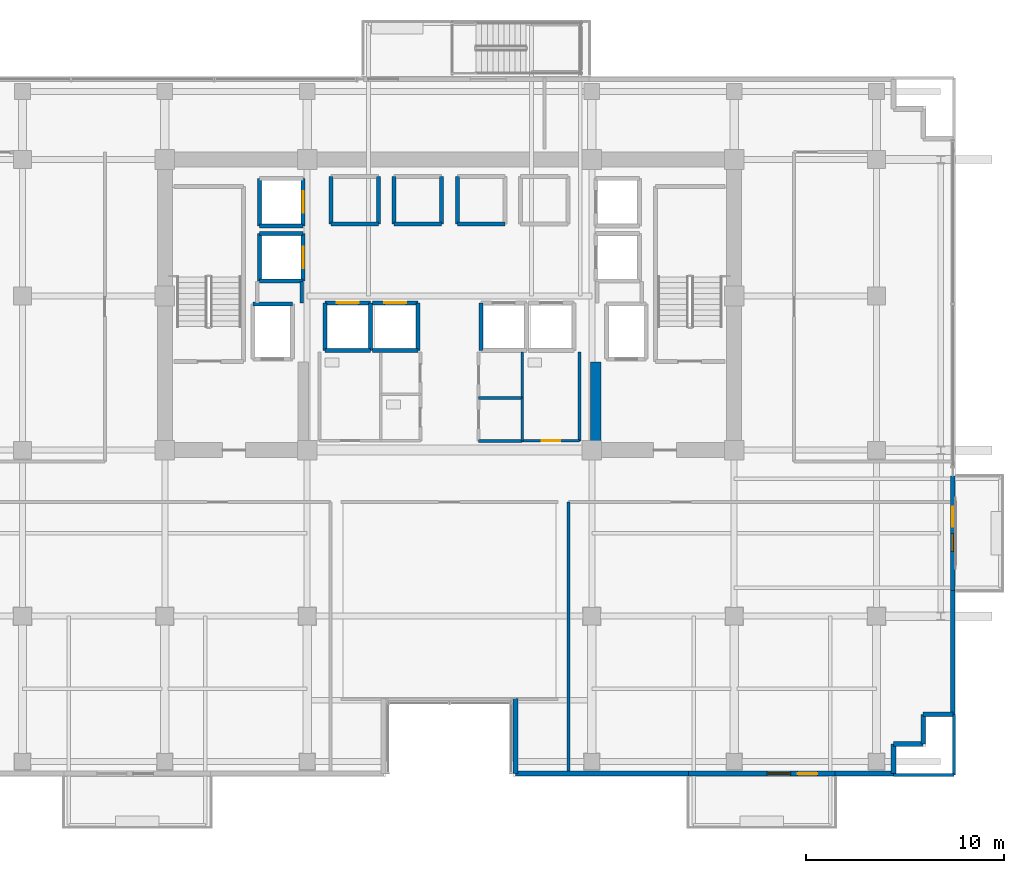
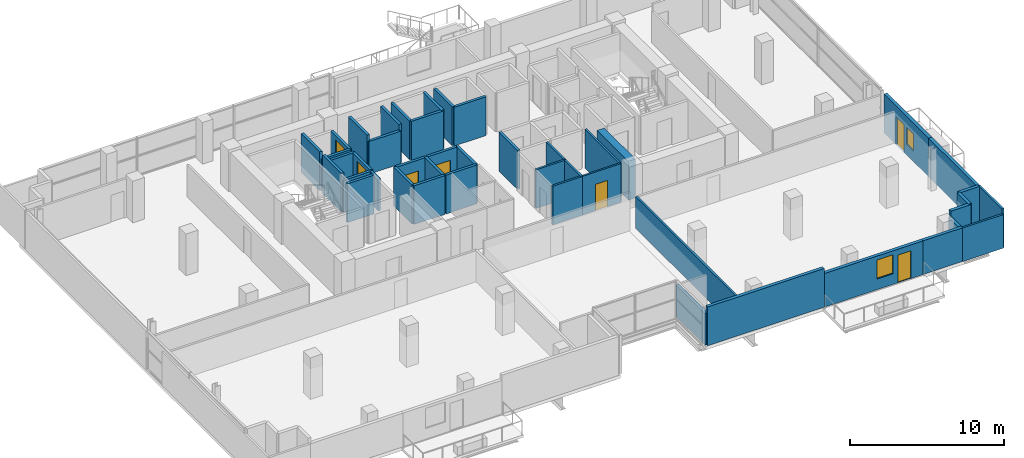
# One storey, part 20 of 27: 45 walls, 7 doors, 2 windows, 9 openings.
"""IFC4 building model written with IfcOpenShell, lengths in metres."""

from ifc_helpers import new_model, si_unit, direction, frame, frame_2d, origin, place, context, subcontext, project, spatial, rectangle, extrude, source, transform, mapped, material, layer, layer_set, type_object, element, fill, save


model = new_model("IFC4")

# Units and contexts
model_context = context("Model", 3, precision=1e-05, world=origin(), true_north=direction((0.0, 1.0)))
body_context = subcontext(model_context, "Body", "Model", "MODEL_VIEW")
ifc_project = project(units=[si_unit("LENGTHUNIT", "METRE"), si_unit("AREAUNIT", "SQUARE_METRE"), si_unit("VOLUMEUNIT", "CUBIC_METRE"), si_unit("PLANEANGLEUNIT", "RADIAN"), si_unit("MASSUNIT", "GRAM", prefix="KILO")], contexts=[model_context])

# Site, building, storey
site_placement = place(None, origin())
site = spatial("IfcSite", under=ifc_project, at=site_placement, CompositionType="ELEMENT")
building_placement = place(site_placement, origin())
building = spatial("IfcBuilding", under=site, at=building_placement, Name="Zarnakvel Exchange Tower", CompositionType="ELEMENT")
storey_placement = place(building_placement, frame((0.0, 0.0, 86.800048828125)))
storey = spatial("IfcBuildingStorey", under=building, at=storey_placement, Name="L23", CompositionType="ELEMENT", Elevation=86.800048828125)

# Wall
ifc_material_1 = material(Name="Concrete C60/75", Category="concrete")
ifc_layer_1 = layer(ifc_material_1, 0.550048828125)
ifc_layer_set_1 = layer_set([ifc_layer_1], Name="Concrete C60/75")
wall_type_1 = type_object("IfcWallType", Name="CW-C4", PredefinedType="SHEAR", material=ifc_layer_set_1)
wall_1_placement = place(storey_placement, frame((7.39990234375, -0.824951171875, 0.0), z_axis=(0.0, 0.0, 1.0), x_axis=(0.0, 1.0, 0.0)))
element("IfcWall", 1, at=wall_1_placement, inside=storey, type_object=wall_type_1, Name="L23 Rear Core Shear Wall IE (CW-C4)", PredefinedType="SHEAR", context=body_context, shape_type="SweptSolid", body=[
    extrude(rectangle(XDim=4.074951171875, YDim=0.550048828125, at=frame_2d((2.03759765625, 0.0))), origin(), (0.0, 0.0, 1.0), 3.074951171875),
])

# Wall, openings, door, window
ifc_material_2 = material(Name="Precast concrete C40/50", Category="concrete")
ifc_layer_2 = layer(ifc_material_2, 0.239990234375)
ifc_layer_set_2 = layer_set([ifc_layer_2], Name="Precast concrete C40/50")
wall_type_2 = type_object("IfcWallType", Name="EW-02", PredefinedType="SOLIDWALL", material=ifc_layer_set_2)
wall_2_placement = place(storey_placement, frame((19.5, -17.56005859375, 0.0), z_axis=(0.0, 0.0, 1.0), x_axis=(-1.0, 0.0, 0.0)))
wall_2 = element("IfcWall", 2, at=wall_2_placement, inside=storey, type_object=wall_type_2, Name="L23 Exterior Precast Spandrel Wall EW-BAL-L23-SE (EW-02)", PredefinedType="SOLIDWALL", context=body_context, shape_type="SweptSolid", body=[
    extrude(rectangle(XDim=7.39990234375, YDim=0.239990234375, at=frame_2d((3.699951171875, 0.0))), origin(), (0.0, 0.0, 1.0), 2.6650390625),
])
opening_1_placement = place(wall_2_placement, frame((0.887939453125, 0.0, 0.0)))
opening_1 = element("IfcOpeningElement", 3, at=opening_1_placement, cuts=wall_2, Name="Opening BD-L23-02", PredefinedType="OPENING", context=body_context, shape_type="SweptSolid", body=[
    extrude(rectangle(XDim=1.0, YDim=2.199951171875, at=frame_2d((0.5, 1.10009765625))), frame((0.0, 0.1298828125, 0.0), z_axis=(0.0, -1.0, 0.0), x_axis=(1.0, 0.0, 0.0)), (0.0, 0.0, 1.0), 0.260009765625),
])
opening_2_placement = place(wall_2_placement, frame((2.238037109375, 0.0, 0.85009765625)))
opening_2 = element("IfcOpeningElement", 4, at=opening_2_placement, cuts=wall_2, Name="Opening WN-04", PredefinedType="OPENING", context=body_context, shape_type="SweptSolid", body=[
    extrude(rectangle(XDim=1.199951171875, YDim=1.5, at=frame_2d((0.60009765625, 0.75))), frame((0.0, 0.1298828125, 0.0), z_axis=(0.0, -1.0, 0.0), x_axis=(1.0, 0.0, 0.0)), (0.0, 0.0, 1.0), 0.260009765625),
])
ifc_material_3 = material(Name="Architectural Bronze Anodised Aluminium", Category="aluminium")
door_type_1 = type_object("IfcDoorType", Name="DT-09", OperationType="NOTDEFINED", PredefinedType="DOOR", material=ifc_material_3)
shared_shape_1 = source(origin(), body_context, "Body", "SweptSolid", [
    extrude(rectangle(XDim=1.0, YDim=2.199951171875, at=frame_2d((0.5, 1.10009765625))), frame((0.0, 0.02490234375, 0.0), z_axis=(0.0, -1.0, 0.0), x_axis=(1.0, 0.0, 0.0)), (0.0, 0.0, 1.0), 0.050048828125),
])
door_1_placement = place(opening_1_placement, origin())
door_1 = element("IfcDoor", 5, at=door_1_placement, inside=storey, type_object=door_type_1, Name="L23 Planted Loggia Balcony Door BD-L23-02", OperationType="SINGLE_SWING_RIGHT", OverallHeight=2.199951171875, OverallWidth=1.0, PredefinedType="DOOR", context=body_context, shape_type="MappedRepresentation", body=[
    mapped(shared_shape_1, transform((0.0, 0.0, 0.0), x_axis=(1.0, 0.0, 0.0), y_axis=(0.0, 1.0, 0.0), z_axis=(0.0, 0.0, 1.0), scale=1.0)),
])
fill(opening_1, door_1)
ifc_material_4 = material(Name="Double Low-E Laminated Vision Glass", Category="glass")
window_type_1 = type_object("IfcWindowType", Name="WN-04", PartitioningType="SINGLE_PANEL", PredefinedType="WINDOW", material=ifc_material_4)
shared_shape_2 = source(origin(), body_context, "Body", "SweptSolid", [
    extrude(rectangle(XDim=1.199951171875, YDim=1.5, at=frame_2d((0.60009765625, 0.75))), frame((0.0, 0.030029296875, 0.0), z_axis=(0.0, -1.0, 0.0), x_axis=(1.0, 0.0, 0.0)), (0.0, 0.0, 1.0), 0.06005859375),
])
window_1_placement = place(opening_2_placement, origin())
window_1 = element("IfcWindow", 6, at=window_1_placement, inside=storey, type_object=window_type_1, Name="L23 Loggia Daylight Window (WN-04)", OverallHeight=1.5, OverallWidth=1.199951171875, PartitioningType="SINGLE_PANEL", PredefinedType="WINDOW", context=body_context, shape_type="MappedRepresentation", body=[
    mapped(shared_shape_2, transform((0.0, 0.0, 0.0), x_axis=(1.0, 0.0, 0.0), y_axis=(0.0, 1.0, 0.0), z_axis=(0.0, 0.0, 1.0), scale=1.0)),
])
fill(opening_2, window_1)

wall_3_placement = place(storey_placement, frame((25.4599609375, -2.5, 0.0), z_axis=(0.0, 0.0, 1.0), x_axis=(0.0, -1.0, 0.0)))
wall_3 = element("IfcWall", 7, at=wall_3_placement, inside=storey, type_object=wall_type_2, Name="L23 Exterior Precast Spandrel Wall EW-BAL-L23-E (EW-02)", PredefinedType="SOLIDWALL", context=body_context, shape_type="SweptSolid", body=[
    extrude(rectangle(XDim=5.800048828125, YDim=0.239990234375, at=frame_2d((2.89990234375, 0.0))), origin(), (0.0, 0.0, 1.0), 3.074951171875),
])
opening_3_placement = place(wall_3_placement, frame((1.56591796875, 0.0, 0.0)))
opening_3 = element("IfcOpeningElement", 8, at=opening_3_placement, cuts=wall_3, Name="Opening BD-L23-03", PredefinedType="OPENING", context=body_context, shape_type="SweptSolid", body=[
    extrude(rectangle(XDim=1.0, YDim=2.199951171875, at=frame_2d((0.5, 1.10009765625))), frame((0.0, 0.1298828125, 0.0), z_axis=(0.0, -1.0, 0.0), x_axis=(1.0, 0.0, 0.0)), (0.0, 0.0, 1.0), 0.260009765625),
])
opening_4_placement = place(wall_3_placement, frame((2.916015625, 0.0, 0.85009765625)))
opening_4 = element("IfcOpeningElement", 9, at=opening_4_placement, cuts=wall_3, Name="Opening WN-06", PredefinedType="OPENING", context=body_context, shape_type="SweptSolid", body=[
    extrude(rectangle(XDim=0.89990234375, YDim=1.35009765625, at=frame_2d((0.449951171875, 0.675048828125))), frame((0.0, 0.1298828125, 0.0), z_axis=(0.0, -1.0, 0.0), x_axis=(1.0, 0.0, 0.0)), (0.0, 0.0, 1.0), 0.260009765625),
])
door_2_placement = place(opening_3_placement, origin())
door_2 = element("IfcDoor", 10, at=door_2_placement, inside=storey, type_object=door_type_1, Name="L23 Planted Loggia Balcony Door BD-L23-03", OperationType="SINGLE_SWING_LEFT", OverallHeight=2.199951171875, OverallWidth=1.0, PredefinedType="DOOR", context=body_context, shape_type="MappedRepresentation", body=[
    mapped(shared_shape_1, transform((0.0, 0.0, 0.0), x_axis=(1.0, 0.0, 0.0), y_axis=(0.0, 1.0, 0.0), z_axis=(0.0, 0.0, 1.0), scale=1.0)),
])
fill(opening_3, door_2)
window_type_2 = type_object("IfcWindowType", Name="WN-06", PartitioningType="SINGLE_PANEL", PredefinedType="WINDOW", material=ifc_material_4)
shared_shape_3 = source(origin(), body_context, "Body", "SweptSolid", [
    extrude(rectangle(XDim=0.89990234375, YDim=1.35009765625, at=frame_2d((0.449951171875, 0.675048828125))), frame((0.0, 0.030029296875, 0.0), z_axis=(0.0, -1.0, 0.0), x_axis=(1.0, 0.0, 0.0)), (0.0, 0.0, 1.0), 0.06005859375),
])
window_2_placement = place(opening_4_placement, origin())
window_2 = element("IfcWindow", 11, at=window_2_placement, inside=storey, type_object=window_type_2, Name="L23 Loggia Daylight Window (WN-06)", OverallHeight=1.35009765625, OverallWidth=0.89990234375, PartitioningType="SINGLE_PANEL", PredefinedType="WINDOW", context=body_context, shape_type="MappedRepresentation", body=[
    mapped(shared_shape_3, transform((0.0, 0.0, 0.0), x_axis=(1.0, 0.0, 0.0), y_axis=(0.0, 1.0, 0.0), z_axis=(0.0, 0.0, 1.0), scale=1.0)),
])
fill(opening_4, window_2)

# Walls
wall_4_placement = place(storey_placement, frame((25.4599609375, -14.56005859375, 0.0), z_axis=(0.0, 0.0, 1.0), x_axis=(0.0, 1.0, 0.0)))
element("IfcWall", 12, at=wall_4_placement, inside=storey, type_object=wall_type_2, Name="L23 Exterior Precast Spandrel Wall EWC-L23-12 (EW-02)", PredefinedType="SOLIDWALL", context=body_context, shape_type="SweptSolid", body=[
    extrude(rectangle(XDim=6.260009765625, YDim=0.239990234375, at=frame_2d((3.1298828125, 0.0))), origin(), (0.0, 0.0, 1.0), 3.074951171875),
])
for number, where, z_axis, x_axis, name in (
    (13, (23.9599609375, -14.56005859375, 0.0), (0.0, 0.0, 1.0), (1.0, 0.0, 0.0), "L23 Exterior Precast Spandrel Wall EWC-L23-13 (EW-02)"),
    (14, (23.9599609375, -16.06005859375, 0.0), (0.0, 0.0, 1.0), (0.0, 1.0, 0.0), "L23 Exterior Precast Spandrel Wall EWC-L23-14 (EW-02)"),
    (15, (22.4599609375, -16.06005859375, 0.0), (0.0, 0.0, 1.0), (1.0, 0.0, 0.0), "L23 Exterior Precast Spandrel Wall EWC-L23-15 (EW-02)"),
):
    element("IfcWall", number, at=place(storey_placement, frame(where, z_axis=z_axis, x_axis=x_axis)), inside=storey, type_object=wall_type_2, Name=name, PredefinedType="SOLIDWALL", context=body_context, shape_type="SweptSolid", body=[
        extrude(rectangle(XDim=1.5, YDim=0.239990234375, at=frame_2d((0.75, 0.0))), origin(), (0.0, 0.0, 1.0), 3.074951171875),
    ])
wall_5_placement = place(storey_placement, frame((22.4599609375, -17.56005859375, 0.0), z_axis=(0.0, 0.0, 1.0), x_axis=(0.0, 1.0, 0.0)))
element("IfcWall", 16, at=wall_5_placement, inside=storey, type_object=wall_type_2, Name="L23 Exterior Precast Spandrel Wall EWC-L23-16 (EW-02)", PredefinedType="SOLIDWALL", context=body_context, shape_type="SweptSolid", body=[
    extrude(rectangle(XDim=1.5, YDim=0.239990234375, at=frame_2d((0.75, 0.0))), origin(), (0.0, 0.0, 1.0), 2.56494140625),
])
wall_6_placement = place(storey_placement, frame((19.5, -17.56005859375, 0.0), z_axis=(0.0, 0.0, 1.0), x_axis=(1.0, 0.0, 0.0)))
element("IfcWall", 17, at=wall_6_placement, inside=storey, type_object=wall_type_2, Name="L23 Exterior Precast Spandrel Wall EWC-L23-17 (EW-02)", PredefinedType="SOLIDWALL", context=body_context, shape_type="SweptSolid", body=[
    extrude(rectangle(XDim=2.9599609375, YDim=0.239990234375, at=frame_2d((1.47998046875, 0.0))), origin(), (0.0, 0.0, 1.0), 2.6650390625),
])
wall_7_placement = place(storey_placement, frame((3.340087890625, -17.56005859375, 0.0), z_axis=(0.0, 0.0, 1.0), x_axis=(1.0, 0.0, 0.0)))
element("IfcWall", 18, at=wall_7_placement, inside=storey, type_object=wall_type_2, Name="L23 Exterior Precast Spandrel Wall EWC-L23-18 (EW-02)", PredefinedType="SOLIDWALL", context=body_context, shape_type="SweptSolid", body=[
    extrude(rectangle(XDim=8.760009765625, YDim=0.239990234375, at=frame_2d((4.3798828125, 0.0))), origin(), (0.0, 0.0, 1.0), 3.074951171875),
])
wall_8_placement = place(storey_placement, frame((3.340087890625, -13.760009765625, 0.0), z_axis=(0.0, 0.0, 1.0), x_axis=(0.0, -1.0, 0.0)))
element("IfcWall", 19, at=wall_8_placement, inside=storey, type_object=wall_type_2, Name="L23 Exterior Precast Spandrel Wall EWC-L23-19 (EW-02)", PredefinedType="SOLIDWALL", context=body_context, shape_type="SweptSolid", body=[
    extrude(rectangle(XDim=3.800048828125, YDim=0.239990234375, at=frame_2d((1.89990234375, 0.0))), origin(), (0.0, 0.0, 1.0), 2.514892578125),
])
ifc_material_5 = material(Name="Fire-Rated Gypsum Stud Partition", Category="gypsum")
ifc_layer_3 = layer(ifc_material_5, 0.14990234375)
ifc_layer_set_3 = layer_set([ifc_layer_3], Name="Fire-Rated Gypsum Stud Partition")
wall_type_3 = type_object("IfcWallType", Name="PT-01", PredefinedType="PARTITIONING", material=ifc_layer_set_3)
for number, where, z_axis, x_axis, name in (
    (20, (3.679931640625, -0.72998046875, 0.0), (0.0, 0.0, 1.0), (-1.0, 0.0, 0.0), "L23 Partition Wall PWALL-L23-018 (PT-01)"),
    (21, (1.469970703125, 1.429931640625, 0.0), (0.0, 0.0, 1.0), (1.0, 0.0, 0.0), "L23 Partition Wall PWALL-L23-019 (PT-01)"),
):
    element("IfcWall", number, at=place(storey_placement, frame(where, z_axis=z_axis, x_axis=x_axis)), inside=storey, type_object=wall_type_3, Name=name, PredefinedType="PARTITIONING", context=body_context, shape_type="SweptSolid", body=[
        extrude(rectangle(XDim=2.2099609375, YDim=0.14990234375, at=frame_2d((1.10498046875, 0.0))), origin(), (0.0, 0.0, 1.0), 3.074951171875),
    ])
wall_9_placement = place(storey_placement, frame((3.679931640625, 1.429931640625, 0.0), z_axis=(0.0, 0.0, 1.0), x_axis=(0.0, -1.0, 0.0)))
element("IfcWall", 22, at=wall_9_placement, inside=storey, type_object=wall_type_3, Name="L23 Partition Wall PWALL-L23-021 (PT-01)", PredefinedType="PARTITIONING", context=body_context, shape_type="SweptSolid", body=[
    extrude(rectangle(XDim=2.159912109375, YDim=0.14990234375, at=frame_2d((1.080078125, 0.0))), origin(), (0.0, 0.0, 1.0), 3.074951171875),
])
wall_10_placement = place(storey_placement, frame((3.679931640625, 3.760009765625, 0.0), z_axis=(0.0, 0.0, 1.0), x_axis=(0.0, -1.0, 0.0)))
element("IfcWall", 23, at=wall_10_placement, inside=storey, type_object=wall_type_3, Name="L23 Partition Wall PWALL-L23-023 (PT-01)", PredefinedType="PARTITIONING", context=body_context, shape_type="SweptSolid", body=[
    extrude(rectangle(XDim=2.330078125, YDim=0.14990234375, at=frame_2d((1.1650390625, 0.0))), origin(), (0.0, 0.0, 1.0), 3.074951171875),
])
wall_11_placement = place(storey_placement, frame((25.530029296875, -17.6298828125, 0.0), z_axis=(0.0, 0.0, 1.0), x_axis=(-1.0, 0.0, 0.0)))
element("IfcWall", 24, at=wall_11_placement, inside=storey, type_object=wall_type_3, Name="L23 Partition Wall PWALL-L23-030 (PT-01)", PredefinedType="PARTITIONING", context=body_context, shape_type="SweptSolid", body=[
    extrude(rectangle(XDim=3.070068359375, YDim=0.14990234375, at=frame_2d((1.53515625, 0.0))), origin(), (0.0, 0.0, 1.0), 2.6650390625),
])
wall_12_placement = place(storey_placement, frame((6.02001953125, -17.6298828125, 0.0), z_axis=(0.0, 0.0, 1.0), x_axis=(0.0, 1.0, 0.0)))
element("IfcWall", 25, at=wall_12_placement, inside=storey, type_object=wall_type_3, Name="L23 Partition Wall PWALL-L23-032 (PT-01)", PredefinedType="PARTITIONING", context=body_context, shape_type="SweptSolid", body=[
    extrude(rectangle(XDim=13.7998046875, YDim=0.14990234375, at=frame_2d((6.89990234375, 0.0))), origin(), (0.0, 0.0, 1.0), 2.514892578125),
])
wall_13_placement = place(storey_placement, frame((25.530029296875, -14.56005859375, 0.0), z_axis=(0.0, 0.0, 1.0), x_axis=(0.0, -1.0, 0.0)))
element("IfcWall", 26, at=wall_13_placement, inside=storey, type_object=wall_type_3, Name="L23 Partition Wall PWALL-L23-033 (PT-01)", PredefinedType="PARTITIONING", context=body_context, shape_type="SweptSolid", body=[
    extrude(rectangle(XDim=3.06982421875, YDim=0.14990234375, at=frame_2d((1.534912109375, 0.0))), origin(), (0.0, 0.0, 1.0), 3.074951171875),
])
ifc_layer_4 = layer(ifc_material_5, 0.179931640625)
ifc_layer_set_4 = layer_set([ifc_layer_4], Name="Fire-Rated Gypsum Stud Partition")
wall_type_4 = type_object("IfcWallType", Name="PT-02", PredefinedType="PARTITIONING", material=ifc_layer_set_4)
wall_14_placement = place(storey_placement, frame((-7.469970703125, 7.330078125, 0.0), z_axis=(0.0, 0.0, 1.0), x_axis=(0.0, -1.0, 0.0)))
element("IfcWall", 27, at=wall_14_placement, inside=storey, type_object=wall_type_4, Name="L23 Partition Wall PWALL-L23-008 (PT-02)", PredefinedType="PARTITIONING", context=body_context, shape_type="SweptSolid", body=[
    extrude(rectangle(XDim=1.090087890625, YDim=0.179931640625, at=frame_2d((0.544921875, 0.0))), origin(), (0.0, 0.0, 1.0), 2.514892578125),
])

# Wall, opening, door
ifc_material_6 = material(Name="Moisture-Resistant Tile-Faced Partition", Category="gypsum")
ifc_layer_5 = layer(ifc_material_6, 0.135009765625)
ifc_layer_set_5 = layer_set([ifc_layer_5], Name="Moisture-Resistant Tile-Faced Partition")
wall_type_5 = type_object("IfcWallType", Name="PT-03", PredefinedType="PARTITIONING", material=ifc_layer_set_5)
wall_15_placement = place(storey_placement, frame((6.580078125, -0.72998046875, 0.0), z_axis=(0.0, 0.0, 1.0), x_axis=(-1.0, 0.0, 0.0)))
wall_15 = element("IfcWall", 28, at=wall_15_placement, inside=storey, type_object=wall_type_5, Name="L23 Partition Wall PWALL-L23-024 (PT-03)", PredefinedType="PARTITIONING", context=body_context, shape_type="SweptSolid", body=[
    extrude(rectangle(XDim=2.900146484375, YDim=0.135009765625, at=frame_2d((1.4501953125, 0.0))), origin(), (0.0, 0.0, 1.0), 3.074951171875),
])
opening_5_placement = place(wall_15_placement, frame((0.989990234375, 0.0, 0.0)))
opening_5 = element("IfcOpeningElement", 29, at=opening_5_placement, cuts=wall_15, Name="Opening D-L23-10", PredefinedType="OPENING", context=body_context, shape_type="SweptSolid", body=[
    extrude(rectangle(XDim=0.919921875, YDim=2.10009765625, at=frame_2d((0.4599609375, 1.050048828125))), frame((0.0, 0.077392578125, 0.0), z_axis=(0.0, -1.0, 0.0), x_axis=(1.0, 0.0, 0.0)), (0.0, 0.0, 1.0), 0.155029296875),
])
ifc_material_7 = material(Name="Moisture-Resistant Laminate Timber", Category="wood")
door_type_2 = type_object("IfcDoorType", Name="DT-07", OperationType="NOTDEFINED", PredefinedType="DOOR", material=ifc_material_7)
shared_shape_4 = source(origin(), body_context, "Body", "SweptSolid", [
    extrude(rectangle(XDim=0.919921875, YDim=2.10009765625, at=frame_2d((0.4599609375, 1.050048828125))), frame((0.0, 0.02490234375, 0.0), z_axis=(0.0, -1.0, 0.0), x_axis=(1.0, 0.0, 0.0)), (0.0, 0.0, 1.0), 0.050048828125),
])
door_3_placement = place(opening_5_placement, origin())
door_3 = element("IfcDoor", 30, at=door_3_placement, inside=storey, type_object=door_type_2, Name="L23 Female Toilet Door D-L23-10", OperationType="SINGLE_SWING_LEFT", OverallHeight=2.10009765625, OverallWidth=0.919921875, PredefinedType="DOOR", context=body_context, shape_type="MappedRepresentation", body=[
    mapped(shared_shape_4, transform((0.0, 0.0, 0.0), x_axis=(1.0, 0.0, 0.0), y_axis=(0.0, 1.0, 0.0), z_axis=(0.0, 0.0, 1.0), scale=1.0)),
])
fill(opening_5, door_3)

# Walls
wall_16_placement = place(storey_placement, frame((6.580078125, 3.760009765625, 0.0), z_axis=(0.0, 0.0, 1.0), x_axis=(0.0, -1.0, 0.0)))
element("IfcWall", 31, at=wall_16_placement, inside=storey, type_object=wall_type_5, Name="L23 Partition Wall PWALL-L23-025 (PT-03)", PredefinedType="PARTITIONING", context=body_context, shape_type="SweptSolid", body=[
    extrude(rectangle(XDim=4.489990234375, YDim=0.135009765625, at=frame_2d((2.2451171875, 0.0))), origin(), (0.0, 0.0, 1.0), 3.074951171875),
])
ifc_material_8 = material(Name="Concrete C40/50", Category="concrete")
ifc_layer_6 = layer(ifc_material_8, 0.199951171875)
ifc_layer_set_6 = layer_set([ifc_layer_6], Name="Concrete C40/50")
wall_type_6 = type_object("IfcWallType", Name="SW-01", PredefinedType="SOLIDWALL", material=ifc_layer_set_6)
wall_17_placement = place(storey_placement, frame((-9.949951171875, 6.199951171875, 0.0), z_axis=(0.0, 0.0, 1.0), x_axis=(1.0, 0.0, 0.0)))
element("IfcWall", 32, at=wall_17_placement, inside=storey, type_object=wall_type_6, Name="L23 FL-01 Hoistway Wall North", PredefinedType="SOLIDWALL", context=body_context, shape_type="SweptSolid", body=[
    extrude(rectangle(XDim=2.0, YDim=0.199951171875, at=frame_2d((1.0, 0.0))), origin(), (0.0, 0.0, 1.0), 3.074951171875),
])
wall_18_placement = place(storey_placement, frame((-3.60009765625, 10.25, 0.0), z_axis=(0.0, 0.0, 1.0), x_axis=(-1.0, 0.0, 0.0)))
element("IfcWall", 33, at=wall_18_placement, inside=storey, type_object=wall_type_6, Name="L23 PL-01 Hoistway Wall South", PredefinedType="SOLIDWALL", context=body_context, shape_type="SweptSolid", body=[
    extrude(rectangle(XDim=2.39990234375, YDim=0.199951171875, at=frame_2d((1.199951171875, 0.0))), origin(), (0.0, 0.0, 1.0), 2.58984375),
])
for number, where, z_axis, x_axis, name in (
    (34, (-6.0, 10.25, 0.0), (0.0, 0.0, 1.0), (0.0, 1.0, 0.0), "L23 PL-01 Hoistway Wall West"),
    (35, (-3.60009765625, 12.64990234375, 0.0), (0.0, 0.0, 1.0), (0.0, -1.0, 0.0), "L23 PL-01 Hoistway Wall East"),
):
    element("IfcWall", number, at=place(storey_placement, frame(where, z_axis=z_axis, x_axis=x_axis)), inside=storey, type_object=wall_type_6, Name=name, PredefinedType="SOLIDWALL", context=body_context, shape_type="SweptSolid", body=[
        extrude(rectangle(XDim=2.39990234375, YDim=0.199951171875, at=frame_2d((1.199951171875, 0.0))), origin(), (0.0, 0.0, 1.0), 3.074951171875),
    ])
wall_19_placement = place(storey_placement, frame((-0.39990234375, 10.25, 0.0), z_axis=(0.0, 0.0, 1.0), x_axis=(-1.0, 0.0, 0.0)))
element("IfcWall", 36, at=wall_19_placement, inside=storey, type_object=wall_type_6, Name="L23 PL-02 Hoistway Wall South", PredefinedType="SOLIDWALL", context=body_context, shape_type="SweptSolid", body=[
    extrude(rectangle(XDim=2.400146484375, YDim=0.199951171875, at=frame_2d((1.2001953125, 0.0))), origin(), (0.0, 0.0, 1.0), 3.074951171875),
])
for number, where, z_axis, x_axis, name in (
    (37, (-2.800048828125, 10.25, 0.0), (0.0, 0.0, 1.0), (0.0, 1.0, 0.0), "L23 PL-02 Hoistway Wall West"),
    (38, (-0.39990234375, 12.64990234375, 0.0), (0.0, 0.0, 1.0), (0.0, -1.0, 0.0), "L23 PL-02 Hoistway Wall East"),
):
    element("IfcWall", number, at=place(storey_placement, frame(where, z_axis=z_axis, x_axis=x_axis)), inside=storey, type_object=wall_type_6, Name=name, PredefinedType="SOLIDWALL", context=body_context, shape_type="SweptSolid", body=[
        extrude(rectangle(XDim=2.39990234375, YDim=0.199951171875, at=frame_2d((1.199951171875, 0.0))), origin(), (0.0, 0.0, 1.0), 3.074951171875),
    ])
wall_20_placement = place(storey_placement, frame((2.800048828125, 10.25, 0.0), z_axis=(0.0, 0.0, 1.0), x_axis=(-1.0, 0.0, 0.0)))
element("IfcWall", 39, at=wall_20_placement, inside=storey, type_object=wall_type_6, Name="L23 PL-03 Hoistway Wall South", PredefinedType="SOLIDWALL", context=body_context, shape_type="SweptSolid", body=[
    extrude(rectangle(XDim=2.400146484375, YDim=0.199951171875, at=frame_2d((1.2001953125, 0.0))), origin(), (0.0, 0.0, 1.0), 3.074951171875),
])
wall_21_placement = place(storey_placement, frame((0.39990234375, 10.25, 0.0), z_axis=(0.0, 0.0, 1.0), x_axis=(0.0, 1.0, 0.0)))
element("IfcWall", 40, at=wall_21_placement, inside=storey, type_object=wall_type_6, Name="L23 PL-03 Hoistway Wall West", PredefinedType="SOLIDWALL", context=body_context, shape_type="SweptSolid", body=[
    extrude(rectangle(XDim=2.39990234375, YDim=0.199951171875, at=frame_2d((1.199951171875, 0.0))), origin(), (0.0, 0.0, 1.0), 3.074951171875),
])
wall_22_placement = place(storey_placement, frame((-4.0, 3.85009765625, 0.0), z_axis=(0.0, 0.0, 1.0), x_axis=(-1.0, 0.0, 0.0)))
element("IfcWall", 41, at=wall_22_placement, inside=storey, type_object=wall_type_6, Name="L23 PL-05 Hoistway Wall South", PredefinedType="SOLIDWALL", context=body_context, shape_type="SweptSolid", body=[
    extrude(rectangle(XDim=2.300048828125, YDim=0.199951171875, at=frame_2d((1.14990234375, 0.0))), origin(), (0.0, 0.0, 1.0), 3.074951171875),
])

# Wall, opening, door
wall_23_placement = place(storey_placement, frame((-6.300048828125, 6.25, 0.0), z_axis=(0.0, 0.0, 1.0), x_axis=(1.0, 0.0, 0.0)))
wall_23 = element("IfcWall", 42, at=wall_23_placement, inside=storey, type_object=wall_type_6, Name="L23 PL-05 Hoistway Wall North", PredefinedType="SOLIDWALL", context=body_context, shape_type="SweptSolid", body=[
    extrude(rectangle(XDim=2.300048828125, YDim=0.199951171875, at=frame_2d((1.14990234375, 0.0))), origin(), (0.0, 0.0, 1.0), 3.074951171875),
])
opening_6_placement = place(wall_23_placement, frame((0.60009765625, 0.0, 0.0)))
opening_6 = element("IfcOpeningElement", 43, at=opening_6_placement, cuts=wall_23, Name="Opening LD-PL-05-L23", PredefinedType="OPENING", context=body_context, shape_type="SweptSolid", body=[
    extrude(rectangle(XDim=1.10009765625, YDim=2.199951171875, at=frame_2d((0.550048828125, 1.10009765625))), frame((0.0, 0.10986328125, 0.0), z_axis=(0.0, -1.0, 0.0), x_axis=(1.0, 0.0, 0.0)), (0.0, 0.0, 1.0), 0.219970703125),
])
door_type_3 = type_object("IfcDoorType", Name="LDT-02", OperationType="NOTDEFINED", PredefinedType="DOOR", material=ifc_material_3)
shared_shape_5 = source(origin(), body_context, "Body", "SweptSolid", [
    extrude(rectangle(XDim=1.10009765625, YDim=2.199951171875, at=frame_2d((0.550048828125, 1.10009765625))), frame((0.0, 0.02490234375, 0.0), z_axis=(0.0, -1.0, 0.0), x_axis=(1.0, 0.0, 0.0)), (0.0, 0.0, 1.0), 0.050048828125),
])
door_4_placement = place(opening_6_placement, origin())
door_4 = element("IfcDoor", 44, at=door_4_placement, inside=storey, type_object=door_type_3, Name="L23 PL-05 Lift Landing Door LD-PL-05-L23", OperationType="DOUBLE_DOOR_SLIDING", OverallHeight=2.199951171875, OverallWidth=1.10009765625, PredefinedType="DOOR", context=body_context, shape_type="MappedRepresentation", body=[
    mapped(shared_shape_5, transform((0.0, 0.0, 0.0), x_axis=(1.0, 0.0, 0.0), y_axis=(0.0, 1.0, 0.0), z_axis=(0.0, 0.0, 1.0), scale=1.0)),
])
fill(opening_6, door_4)

# Walls
for number, where, z_axis, x_axis, name in (
    (45, (-6.300048828125, 3.85009765625, 0.0), (0.0, 0.0, 1.0), (0.0, 1.0, 0.0), "L23 PL-05 Hoistway Wall West"),
    (46, (-4.0, 6.25, 0.0), (0.0, 0.0, 1.0), (0.0, -1.0, 0.0), "L23 PL-05 Hoistway Wall East"),
):
    element("IfcWall", number, at=place(storey_placement, frame(where, z_axis=z_axis, x_axis=x_axis)), inside=storey, type_object=wall_type_6, Name=name, PredefinedType="SOLIDWALL", context=body_context, shape_type="SweptSolid", body=[
        extrude(rectangle(XDim=2.39990234375, YDim=0.199951171875, at=frame_2d((1.199951171875, 0.0))), origin(), (0.0, 0.0, 1.0), 3.074951171875),
    ])
wall_24_placement = place(storey_placement, frame((-1.60009765625, 3.85009765625, 0.0), z_axis=(0.0, 0.0, 1.0), x_axis=(-1.0, 0.0, 0.0)))
element("IfcWall", 47, at=wall_24_placement, inside=storey, type_object=wall_type_6, Name="L23 PL-06 Hoistway Wall South", PredefinedType="SOLIDWALL", context=body_context, shape_type="SweptSolid", body=[
    extrude(rectangle(XDim=2.2998046875, YDim=0.199951171875, at=frame_2d((1.14990234375, 0.0))), origin(), (0.0, 0.0, 1.0), 3.074951171875),
])

# Wall, opening, door
wall_25_placement = place(storey_placement, frame((-3.89990234375, 6.25, 0.0), z_axis=(0.0, 0.0, 1.0), x_axis=(1.0, 0.0, 0.0)))
wall_25 = element("IfcWall", 48, at=wall_25_placement, inside=storey, type_object=wall_type_6, Name="L23 PL-06 Hoistway Wall North", PredefinedType="SOLIDWALL", context=body_context, shape_type="SweptSolid", body=[
    extrude(rectangle(XDim=2.2998046875, YDim=0.199951171875, at=frame_2d((1.14990234375, 0.0))), origin(), (0.0, 0.0, 1.0), 3.074951171875),
])
opening_7_placement = place(wall_25_placement, frame((0.60009765625, 0.0, 0.0)))
opening_7 = element("IfcOpeningElement", 49, at=opening_7_placement, cuts=wall_25, Name="Opening LD-PL-06-L23", PredefinedType="OPENING", context=body_context, shape_type="SweptSolid", body=[
    extrude(rectangle(XDim=1.10009765625, YDim=2.199951171875, at=frame_2d((0.550048828125, 1.10009765625))), frame((0.0, 0.10986328125, 0.0), z_axis=(0.0, -1.0, 0.0), x_axis=(1.0, 0.0, 0.0)), (0.0, 0.0, 1.0), 0.219970703125),
])
door_5_placement = place(opening_7_placement, origin())
door_5 = element("IfcDoor", 50, at=door_5_placement, inside=storey, type_object=door_type_3, Name="L23 PL-06 Lift Landing Door LD-PL-06-L23", OperationType="DOUBLE_DOOR_SLIDING", OverallHeight=2.199951171875, OverallWidth=1.10009765625, PredefinedType="DOOR", context=body_context, shape_type="MappedRepresentation", body=[
    mapped(shared_shape_5, transform((0.0, 0.0, 0.0), x_axis=(1.0, 0.0, 0.0), y_axis=(0.0, 1.0, 0.0), z_axis=(0.0, 0.0, 1.0), scale=1.0)),
])
fill(opening_7, door_5)

# Walls
for number, where, z_axis, x_axis, name in (
    (51, (-1.60009765625, 6.25, 0.0), (0.0, 0.0, 1.0), (0.0, -1.0, 0.0), "L23 PL-06 Hoistway Wall East"),
    (52, (1.60009765625, 3.85009765625, 0.0), (0.0, 0.0, 1.0), (0.0, 1.0, 0.0), "L23 PL-07 Hoistway Wall West"),
):
    element("IfcWall", number, at=place(storey_placement, frame(where, z_axis=z_axis, x_axis=x_axis)), inside=storey, type_object=wall_type_6, Name=name, PredefinedType="SOLIDWALL", context=body_context, shape_type="SweptSolid", body=[
        extrude(rectangle(XDim=2.39990234375, YDim=0.199951171875, at=frame_2d((1.199951171875, 0.0))), origin(), (0.0, 0.0, 1.0), 3.074951171875),
    ])
for number, where, z_axis, x_axis, name in (
    (53, (-7.39990234375, 7.35009765625, 0.0), (0.0, 0.0, 1.0), (-1.0, 0.0, 0.0), "L23 PL-09 Hoistway Wall South"),
    (54, (-9.60009765625, 9.75, 0.0), (0.0, 0.0, 1.0), (1.0, 0.0, 0.0), "L23 PL-09 Hoistway Wall North"),
):
    element("IfcWall", number, at=place(storey_placement, frame(where, z_axis=z_axis, x_axis=x_axis)), inside=storey, type_object=wall_type_6, Name=name, PredefinedType="SOLIDWALL", context=body_context, shape_type="SweptSolid", body=[
        extrude(rectangle(XDim=2.2001953125, YDim=0.199951171875, at=frame_2d((1.10009765625, 0.0))), origin(), (0.0, 0.0, 1.0), 2.514892578125),
    ])
wall_26_placement = place(storey_placement, frame((-9.60009765625, 7.35009765625, 0.0), z_axis=(0.0, 0.0, 1.0), x_axis=(0.0, 1.0, 0.0)))
element("IfcWall", 55, at=wall_26_placement, inside=storey, type_object=wall_type_6, Name="L23 PL-09 Hoistway Wall West", PredefinedType="SOLIDWALL", context=body_context, shape_type="SweptSolid", body=[
    extrude(rectangle(XDim=2.39990234375, YDim=0.199951171875, at=frame_2d((1.199951171875, 0.0))), origin(), (0.0, 0.0, 1.0), 3.074951171875),
])

# Wall, opening, door
wall_27_placement = place(storey_placement, frame((-7.39990234375, 9.75, 0.0), z_axis=(0.0, 0.0, 1.0), x_axis=(0.0, -1.0, 0.0)))
wall_27 = element("IfcWall", 56, at=wall_27_placement, inside=storey, type_object=wall_type_6, Name="L23 PL-09 Hoistway Wall East", PredefinedType="SOLIDWALL", context=body_context, shape_type="SweptSolid", body=[
    extrude(rectangle(XDim=2.39990234375, YDim=0.199951171875, at=frame_2d((1.199951171875, 0.0))), origin(), (0.0, 0.0, 1.0), 2.514892578125),
])
opening_8_placement = place(wall_27_placement, frame((0.64990234375, 0.0, 0.0)))
opening_8 = element("IfcOpeningElement", 57, at=opening_8_placement, cuts=wall_27, Name="Opening LD-PL-09-L23", PredefinedType="OPENING", context=body_context, shape_type="SweptSolid", body=[
    extrude(rectangle(XDim=1.10009765625, YDim=2.199951171875, at=frame_2d((0.550048828125, 1.10009765625))), frame((0.0, 0.10986328125, 0.0), z_axis=(0.0, -1.0, 0.0), x_axis=(1.0, 0.0, 0.0)), (0.0, 0.0, 1.0), 0.219970703125),
])
door_6_placement = place(opening_8_placement, origin())
door_6 = element("IfcDoor", 58, at=door_6_placement, inside=storey, type_object=door_type_3, Name="L23 PL-09 Lift Landing Door LD-PL-09-L23", OperationType="DOUBLE_DOOR_SLIDING", OverallHeight=2.199951171875, OverallWidth=1.10009765625, PredefinedType="DOOR", context=body_context, shape_type="MappedRepresentation", body=[
    mapped(shared_shape_5, transform((0.0, 0.0, 0.0), x_axis=(1.0, 0.0, 0.0), y_axis=(0.0, 1.0, 0.0), z_axis=(0.0, 0.0, 1.0), scale=1.0)),
])
fill(opening_8, door_6)

# Walls
wall_28_placement = place(storey_placement, frame((-7.39990234375, 10.14990234375, 0.0), z_axis=(0.0, 0.0, 1.0), x_axis=(-1.0, 0.0, 0.0)))
element("IfcWall", 59, at=wall_28_placement, inside=storey, type_object=wall_type_6, Name="L23 PL-10 Hoistway Wall South", PredefinedType="SOLIDWALL", context=body_context, shape_type="SweptSolid", body=[
    extrude(rectangle(XDim=2.2001953125, YDim=0.199951171875, at=frame_2d((1.10009765625, 0.0))), origin(), (0.0, 0.0, 1.0), 2.514892578125),
])
wall_29_placement = place(storey_placement, frame((-9.60009765625, 10.14990234375, 0.0), z_axis=(0.0, 0.0, 1.0), x_axis=(0.0, 1.0, 0.0)))
element("IfcWall", 60, at=wall_29_placement, inside=storey, type_object=wall_type_6, Name="L23 PL-10 Hoistway Wall West", PredefinedType="SOLIDWALL", context=body_context, shape_type="SweptSolid", body=[
    extrude(rectangle(XDim=2.400146484375, YDim=0.199951171875, at=frame_2d((1.2001953125, 0.0))), origin(), (0.0, 0.0, 1.0), 3.074951171875),
])

# Wall, opening, door
wall_30_placement = place(storey_placement, frame((-7.39990234375, 12.550048828125, 0.0), z_axis=(0.0, 0.0, 1.0), x_axis=(0.0, -1.0, 0.0)))
wall_30 = element("IfcWall", 61, at=wall_30_placement, inside=storey, type_object=wall_type_6, Name="L23 PL-10 Hoistway Wall East", PredefinedType="SOLIDWALL", context=body_context, shape_type="SweptSolid", body=[
    extrude(rectangle(XDim=2.400146484375, YDim=0.199951171875, at=frame_2d((1.2001953125, 0.0))), origin(), (0.0, 0.0, 1.0), 2.514892578125),
])
opening_9_placement = place(wall_30_placement, frame((0.64990234375, 0.0, 0.0)))
opening_9 = element("IfcOpeningElement", 62, at=opening_9_placement, cuts=wall_30, Name="Opening LD-PL-10-L23", PredefinedType="OPENING", context=body_context, shape_type="SweptSolid", body=[
    extrude(rectangle(XDim=1.10009765625, YDim=2.199951171875, at=frame_2d((0.550048828125, 1.10009765625))), frame((0.0, 0.10986328125, 0.0), z_axis=(0.0, -1.0, 0.0), x_axis=(1.0, 0.0, 0.0)), (0.0, 0.0, 1.0), 0.219970703125),
])
door_7_placement = place(opening_9_placement, origin())
door_7 = element("IfcDoor", 63, at=door_7_placement, inside=storey, type_object=door_type_3, Name="L23 PL-10 Lift Landing Door LD-PL-10-L23", OperationType="DOUBLE_DOOR_SLIDING", OverallHeight=2.199951171875, OverallWidth=1.10009765625, PredefinedType="DOOR", context=body_context, shape_type="MappedRepresentation", body=[
    mapped(shared_shape_5, transform((0.0, 0.0, 0.0), x_axis=(1.0, 0.0, 0.0), y_axis=(0.0, 1.0, 0.0), z_axis=(0.0, 0.0, 1.0), scale=1.0)),
])
fill(opening_9, door_7)

save(model, "model.ifc")
